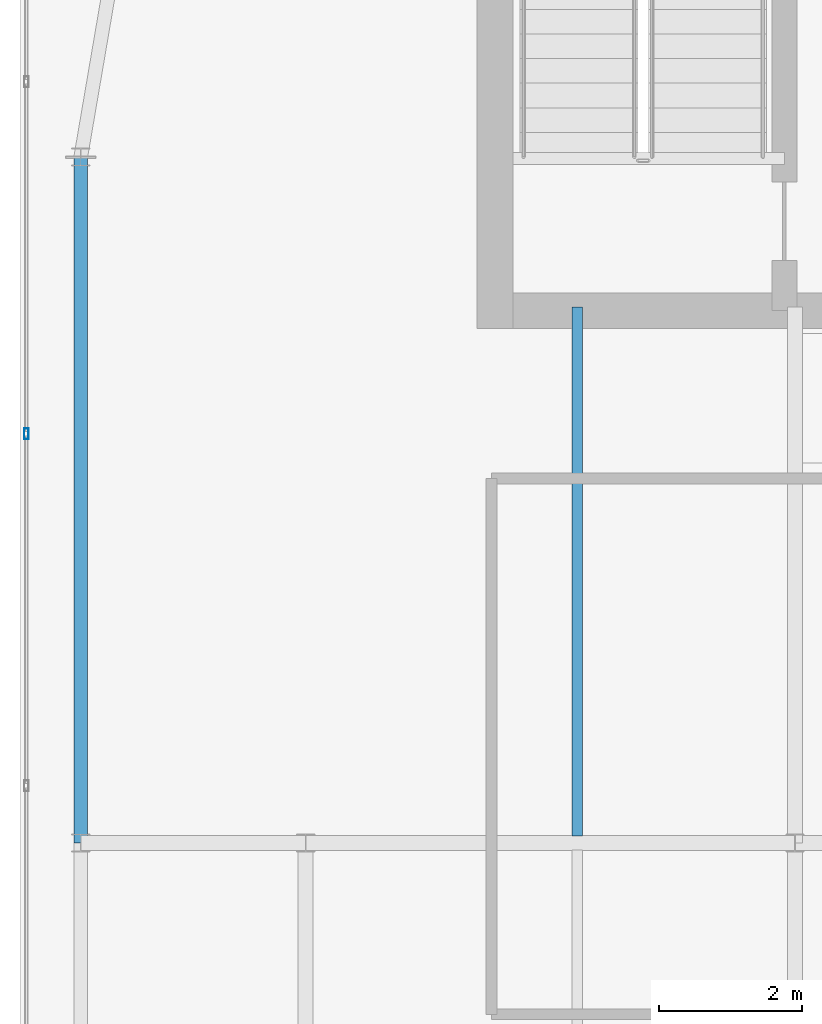
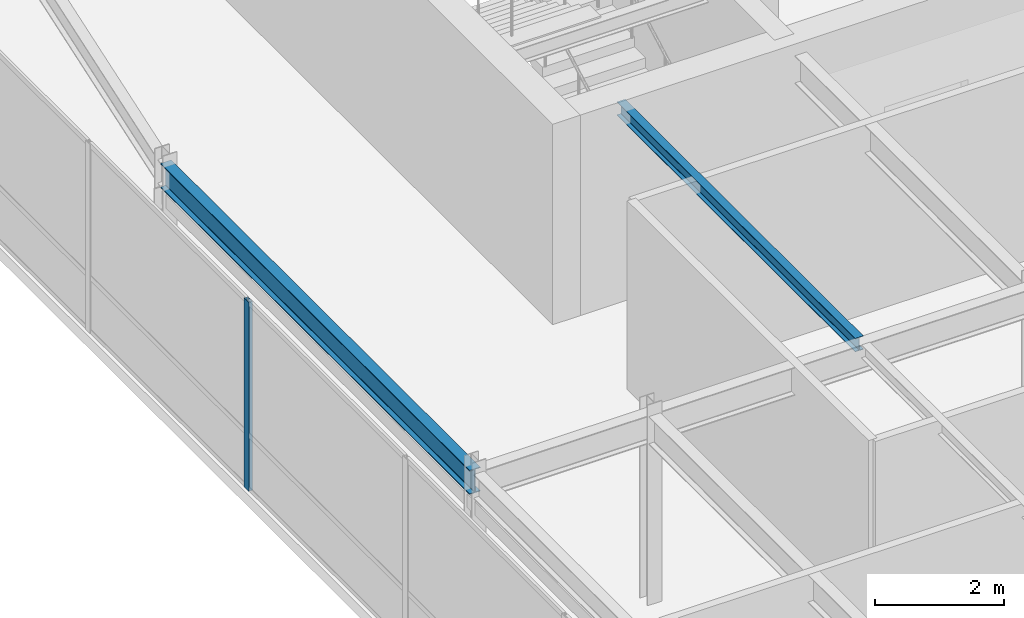
# One storey, part 17 of 36: 2 beams, 1 member, 1 element without a shape of its own.
"""IFC4 building model written with IfcOpenShell, lengths in metres."""

from ifc_helpers import new_model, si_unit, direction, frame, origin, origin_2d, place, context, subcontext, project, spatial, hollow_rectangle, i_section, extrude, source, transform, mapped, material, layer, layer_set, material_profile, profile_set, type_object, type_shapes, element, aggregate, save


model = new_model("IFC4")

# Units and contexts
model_context = context("Model", 3, precision=1e-05, world=origin(), true_north=direction((0.0, 1.0)))
body_context = subcontext(model_context, "Body", "Model", "MODEL_VIEW")
ifc_project = project(units=[si_unit("LENGTHUNIT", "METRE"), si_unit("AREAUNIT", "SQUARE_METRE"), si_unit("VOLUMEUNIT", "CUBIC_METRE"), si_unit("PLANEANGLEUNIT", "RADIAN"), si_unit("MASSUNIT", "GRAM", prefix="KILO")], contexts=[model_context])

# Site, building, storey
site_placement = place(None, origin())
site = spatial("IfcSite", under=ifc_project, at=site_placement, CompositionType="ELEMENT")
building_placement = place(site_placement, origin())
building = spatial("IfcBuilding", under=site, at=building_placement, Name="Tolvann Quenvar Hotel", CompositionType="ELEMENT")
storey_placement = place(building_placement, frame((0.0, 0.0, 306.14990234375)))
storey = spatial("IfcBuildingStorey", under=building, at=storey_placement, Name="L81", CompositionType="ELEMENT", Elevation=306.14990234375)

# Beams
ifc_material_1 = material(Name="Steel Grade 350", Category="steel")
ifc_material_profile_1 = material_profile(ifc_material_1, i_section(OverallWidth=0.19091796875, OverallDepth=0.4599609375, WebThickness=0.010009765625, FlangeThickness=0.01611328125, FilletRadius=0.011474609375, at=origin_2d()), Name="460UB82")
ifc_profile_set_1 = profile_set([ifc_material_profile_1], Name="Steel Grade 350")
beam_type_1 = type_object("IfcBeamType", Name="BM_SPAND_460UB82", PredefinedType="SPANDREL", material=ifc_profile_set_1)
shared_shape_1 = source(origin(), body_context, "Body", "SweptSolid", [
    extrude(i_section(OverallWidth=0.19091796875, OverallDepth=0.4599609375, WebThickness=0.010009765625, FlangeThickness=0.01611328125, FilletRadius=0.011474609375, at=origin_2d()), origin(), (0.0, 0.0, 1.0), 9.60009765625),
])
type_shapes(beam_type_1, [shared_shape_1])
beam_1_placement = place(storey_placement, frame((4.449951171875, 24.39990234375, 3.35009765625), z_axis=(0.0, 1.0, 0.0), x_axis=(-1.0, 0.0, 0.0)))
element("IfcBeam", 1, at=beam_1_placement, inside=storey, type_object=beam_type_1, Name="BM-L81-FLK-W1", PredefinedType="SPANDREL", context=body_context, shape_type="MappedRepresentation", body=[
    mapped(shared_shape_1, transform((0.0, 0.0, 0.0), x_axis=(1.0, 0.0, 0.0), y_axis=(0.0, 1.0, 0.0), z_axis=(0.0, 0.0, 1.0), scale=1.0)),
])
ifc_material_profile_2 = material_profile(ifc_material_1, i_section(OverallWidth=0.14599609375, OverallDepth=0.256103515625, WebThickness=0.00634765625, FlangeThickness=0.010986328125, FilletRadius=0.0087890625, at=origin_2d()), Name="250UB37")
ifc_profile_set_2 = profile_set([ifc_material_profile_2], Name="Steel Grade 350")
beam_type_2 = type_object("IfcBeamType", Name="BM_JOIST_250UB37", PredefinedType="JOIST", material=ifc_profile_set_2)
shared_shape_2 = source(origin(), body_context, "Body", "SweptSolid", [
    extrude(i_section(OverallWidth=0.14599609375, OverallDepth=0.256103515625, WebThickness=0.00634765625, FlangeThickness=0.010986328125, FilletRadius=0.0087890625, at=origin_2d()), origin(), (0.0, 0.0, 1.0), 7.4013671875),
])
type_shapes(beam_type_2, [shared_shape_2])
beam_2_placement = place(storey_placement, frame((11.39990234375, 24.49853515625, 3.4521484375), z_axis=(0.0, 1.0, 0.0), x_axis=(-1.0, 0.0, 0.0)))
element("IfcBeam", 2, at=beam_2_placement, inside=storey, type_object=beam_type_2, Name="BJ-L81-114-244", PredefinedType="JOIST", context=body_context, shape_type="MappedRepresentation", body=[
    mapped(shared_shape_2, transform((0.0, 0.0, 0.0), x_axis=(1.0, 0.0, 0.0), y_axis=(0.0, 1.0, 0.0), z_axis=(0.0, 0.0, 1.0), scale=1.0)),
])

# Curtain wall, member
ifc_material_2 = material(Name="Thermally broken anodised architectural aluminium 6063-T6 and laminated low-E glass", Category="aluminium")
ifc_layer = layer(ifc_material_2, 0.179931640625)
ifc_layer_set = layer_set([ifc_layer], Name="Thermally broken anodised architectural aluminium 6063-T6 and laminated low-E glass")
curtain_wall_type = type_object("IfcCurtainWallType", Name="CW_SYS_LANT_06", PredefinedType="USERDEFINED", material=ifc_layer_set)
curtain_wall_placement = place(storey_placement, origin())
curtain_wall = element("IfcCurtainWall", 3, at=curtain_wall_placement, inside=storey, type_object=curtain_wall_type, Name="Curtain Wall CW-LANT-06 (CWR-L81-E19)", ObjectType="UNITISED CURTAIN WALL", PredefinedType="USERDEFINED")
ifc_material_3 = material(Name="Anodised architectural aluminium 6063-T6 framing", Category="aluminium")
ifc_material_profile_3 = material_profile(ifc_material_3, hollow_rectangle(XDim=0.06494140625, YDim=0.14990234375, WallThickness=0.00390625, at=origin_2d()), Name="150x65x4RHS")
ifc_profile_set_3 = profile_set([ifc_material_profile_3], Name="Anodised architectural aluminium 6063-T6 framing")
member_type = type_object("IfcMemberType", Name="CW_MULL_150x65", PredefinedType="MULLION", material=ifc_profile_set_3)
shared_shape_3 = source(origin(), body_context, "Body", "SweptSolid", [
    extrude(hollow_rectangle(XDim=0.06494140625, YDim=0.14990234375, WallThickness=0.00390625, at=origin_2d()), origin(), (0.0, 0.0, 1.0), 3.580078125),
])
type_shapes(member_type, [shared_shape_3])
member_placement = place(storey_placement, frame((3.68994140625, 30.127685546875, 0.0), z_axis=(0.0, 0.0, 1.0), x_axis=(1.0, 0.0, 0.0)))
member = element("IfcMember", 4, at=member_placement, type_object=member_type, Name="CW-LANT-06 mullion 3", PredefinedType="MULLION", context=body_context, shape_type="MappedRepresentation", body=[
    mapped(shared_shape_3, transform((0.0, 0.0, 0.0), x_axis=(1.0, 0.0, 0.0), y_axis=(0.0, 1.0, 0.0), z_axis=(0.0, 0.0, 1.0), scale=1.0)),
])
aggregate(curtain_wall, [member])

save(model, "model.ifc")
